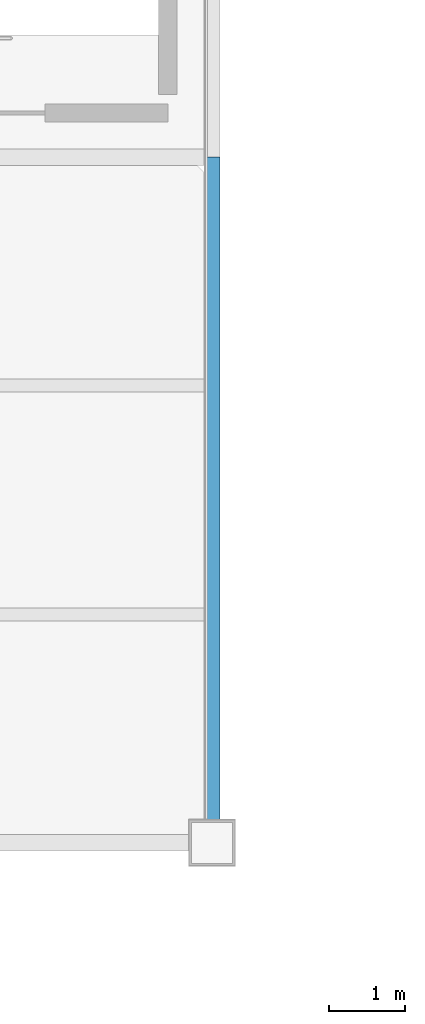
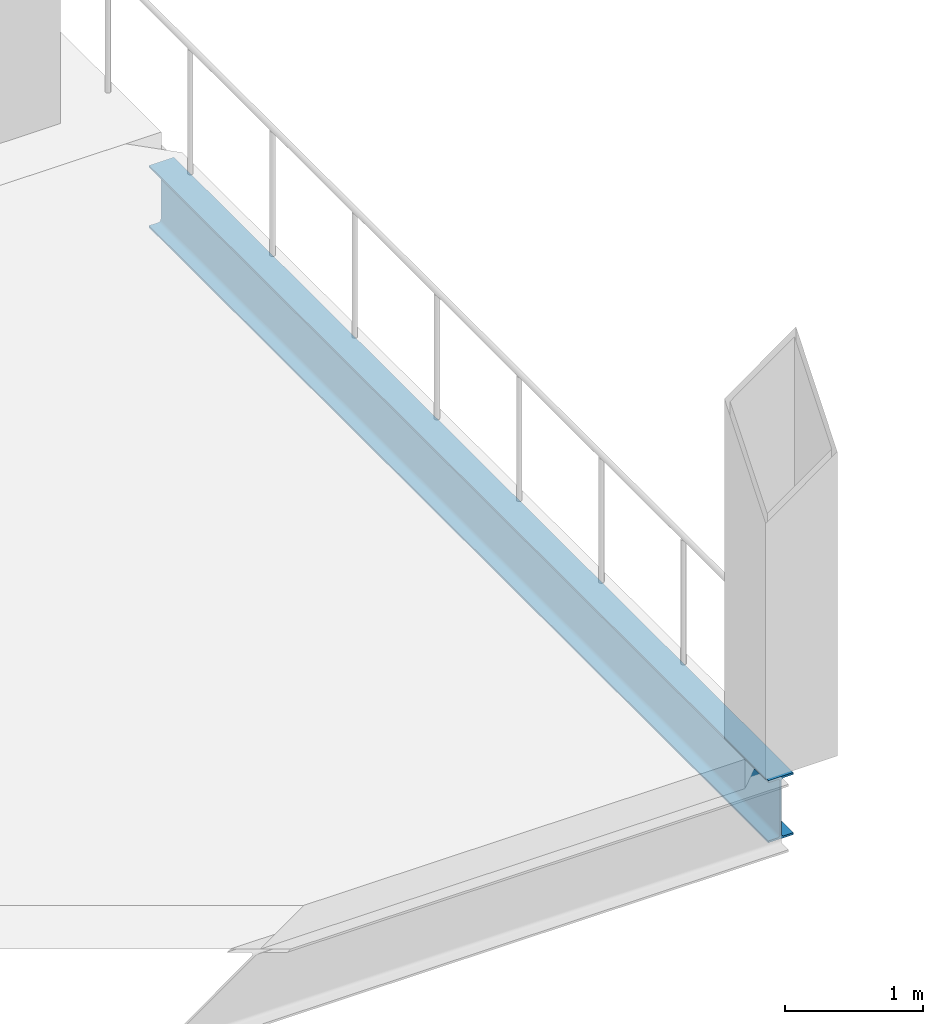
# One storey, part 25 of 82: 1 beam.
"""IFC4 building model written with IfcOpenShell, lengths in metres."""

from ifc_helpers import new_model, si_unit, direction, frame, origin, origin_2d, place, context, subcontext, project, spatial, i_section, extrude, material, material_profile, profile_set, type_object, element, save


model = new_model("IFC4")

# Units and contexts
model_context = context("Model", 3, precision=1e-05, world=origin(), true_north=direction((0.0, 1.0)))
body_context = subcontext(model_context, "Body", "Model", "MODEL_VIEW")
ifc_project = project(units=[si_unit("LENGTHUNIT", "METRE"), si_unit("AREAUNIT", "SQUARE_METRE"), si_unit("VOLUMEUNIT", "CUBIC_METRE"), si_unit("PLANEANGLEUNIT", "RADIAN"), si_unit("MASSUNIT", "GRAM", prefix="KILO")], contexts=[model_context])

# Site, building, storey
site_placement = place(None, origin())
site = spatial("IfcSite", under=ifc_project, at=site_placement, CompositionType="ELEMENT")
building_placement = place(site_placement, origin())
building = spatial("IfcBuilding", under=site, at=building_placement, Name="Zarnetskaya Central Station", CompositionType="ELEMENT")
storey_placement = place(building_placement, frame((0.0, 0.0, 10.199951171875)))
storey = spatial("IfcBuildingStorey", under=building, at=storey_placement, Name="L02", CompositionType="ELEMENT", Elevation=10.199951171875)

# Beam
ifc_material = material(Name="Steel S355", Category="steel")
ifc_material_profile = material_profile(ifc_material, i_section(OverallWidth=0.2099609375, OverallDepth=0.550048828125, WebThickness=0.010986328125, FlangeThickness=0.01708984375, FilletRadius=0.02392578125, at=origin_2d()), Name="IPE 550")
ifc_profile_set = profile_set([ifc_material_profile], Name="Steel S355")
beam_type = type_object("IfcBeamType", Name="GD-FLR-550", PredefinedType="USERDEFINED", material=ifc_profile_set)
beam_placement = place(storey_placement, frame((67.199951171875, 22.199951171875, -0.534912109375), z_axis=(0.0, 1.0, 0.0), x_axis=(-1.0, 0.0, 0.0)))
element("IfcBeam", 1, at=beam_placement, inside=storey, type_object=beam_type, Name="Grid girder GY-L02-H-45", ObjectType="GIRDER", PredefinedType="USERDEFINED", context=body_context, shape_type="SweptSolid", body=[
    extrude(i_section(OverallWidth=0.2099609375, OverallDepth=0.550048828125, WebThickness=0.010986328125, FlangeThickness=0.01708984375, FilletRadius=0.02392578125, at=origin_2d()), origin(), (0.0, 0.0, 1.0), 9.0),
])

save(model, "model.ifc")
